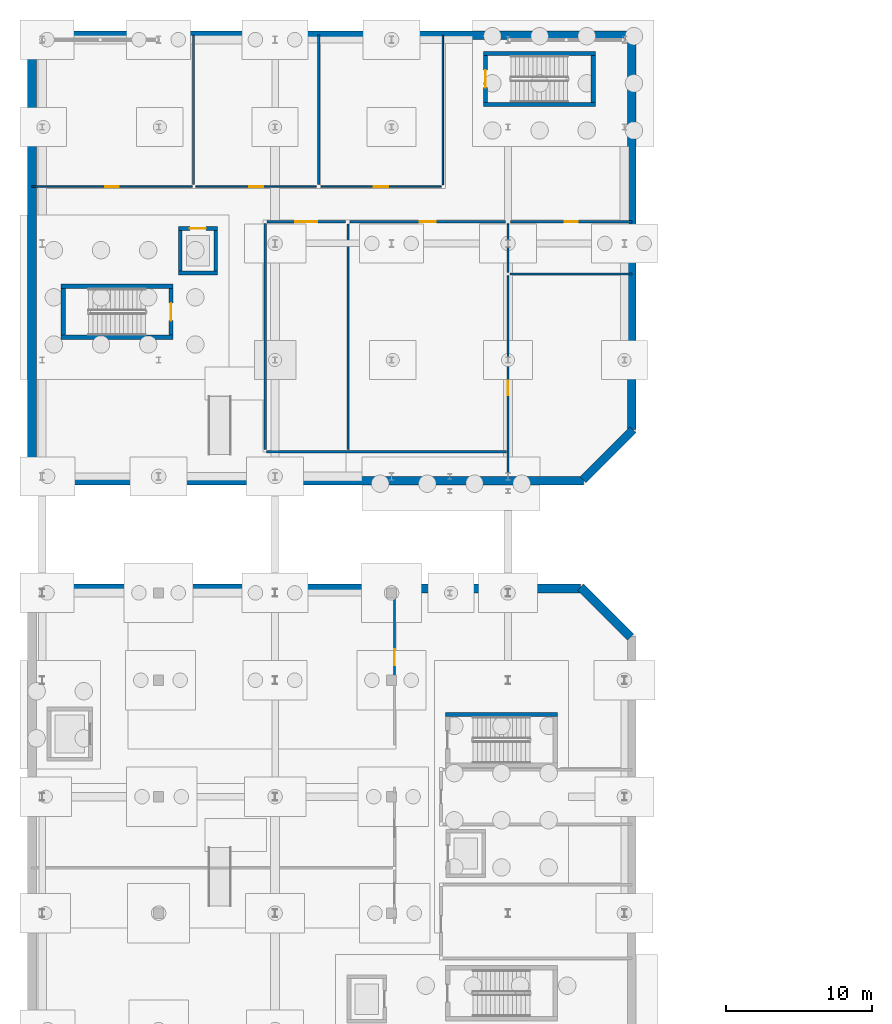
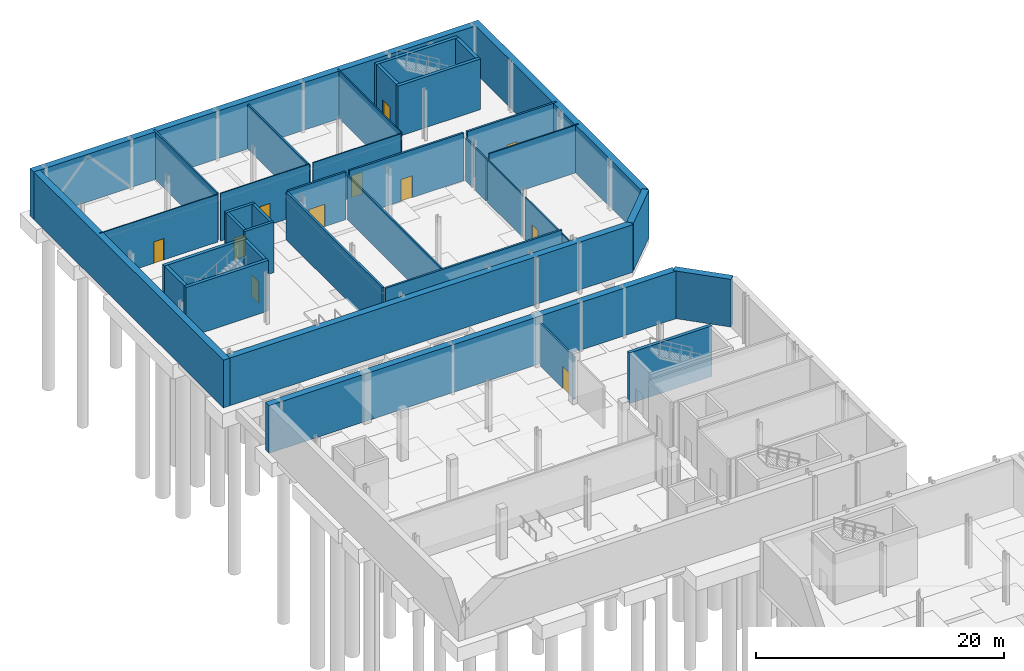
# One storey, part 28 of 47: 38 walls, 11 doors, 11 openings.
"""IFC4 building model written with IfcOpenShell, lengths in metres."""

from ifc_helpers import new_model, si_unit, direction, frame, frame_2d, origin, place, context, subcontext, project, spatial, rectangle, extrude, material, layer, layer_set, type_object, element, fill, save


model = new_model("IFC4")

# Units and contexts
model_context = context("Model", 3, precision=1e-05, world=origin(), true_north=direction((0.0, 1.0)))
body_context = subcontext(model_context, "Body", "Model", "MODEL_VIEW")
ifc_project = project(units=[si_unit("LENGTHUNIT", "METRE"), si_unit("AREAUNIT", "SQUARE_METRE"), si_unit("VOLUMEUNIT", "CUBIC_METRE"), si_unit("PLANEANGLEUNIT", "RADIAN"), si_unit("MASSUNIT", "GRAM", prefix="KILO")], contexts=[model_context])

# Site, building, storey
site_placement = place(None, origin())
site = spatial("IfcSite", under=ifc_project, at=site_placement, CompositionType="ELEMENT")
building_placement = place(site_placement, origin())
building = spatial("IfcBuilding", under=site, at=building_placement, Name="Cymarion Research Institute", CompositionType="ELEMENT")
storey_placement = place(building_placement, frame((0.0, 0.0, -5.0)))
storey = spatial("IfcBuildingStorey", under=building, at=storey_placement, Name="B1", CompositionType="ELEMENT", Elevation=-5.0)

# Walls
ifc_material_1 = material(Name="Concrete C35/45", Category="concrete")
ifc_layer_1 = layer(ifc_material_1, 0.60009765625)
ifc_layer_set_1 = layer_set([ifc_layer_1], Name="Concrete C35/45")
wall_type_1 = type_object("IfcWallType", Name="EXTERIOR WALL EW-RET600 600MM", PredefinedType="SHEAR", material=ifc_layer_set_1)
wall_1_placement = place(storey_placement, frame((47.02490234375, 74.450927734375, 0.0), z_axis=(0.0, 0.0, 1.0), x_axis=(-0.707106781187, 0.707106781187, 0.0)))
element("IfcWall", 1, at=wall_1_placement, inside=storey, type_object=wall_type_1, Name="B1 V4 exterior wall EW-RET600 #30", PredefinedType="SHEAR", context=body_context, shape_type="SweptSolid", body=[
    extrude(rectangle(XDim=4.860595703125, YDim=0.60009765625, at=frame_2d((2.43017578125, 0.0))), origin(), (0.0, 0.0, 1.0), 4.699951171875),
])
wall_2_placement = place(storey_placement, frame((43.569580078125, 77.800048828125, 0.0), z_axis=(0.0, 0.0, 1.0), x_axis=(-1.0, 0.0, 0.0)))
element("IfcWall", 2, at=wall_2_placement, inside=storey, type_object=wall_type_1, Name="B1 V4 exterior wall EW-RET600 #31", PredefinedType="SHEAR", context=body_context, shape_type="SweptSolid", body=[
    extrude(rectangle(XDim=37.969482421875, YDim=0.60009765625, at=frame_2d((18.98486328125, 0.0))), origin(), (0.0, 0.0, 1.0), 4.699951171875),
])
wall_3_placement = place(storey_placement, frame((6.181884765625, 85.199951171875, 0.0), z_axis=(0.0, 0.0, 1.0), x_axis=(1.0, 0.0, 0.0)))
element("IfcWall", 3, at=wall_3_placement, inside=storey, type_object=wall_type_1, Name="B1 V5 exterior wall EW-RET600 #33", PredefinedType="SHEAR", context=body_context, shape_type="SweptSolid", body=[
    extrude(rectangle(XDim=37.6181640625, YDim=0.60009765625, at=frame_2d((18.80908203125, 0.0))), origin(), (0.0, 0.0, 1.0), 4.699951171875),
])
wall_4_placement = place(storey_placement, frame((43.7509765625, 85.275146484375, 0.0), z_axis=(0.0, 0.0, 1.0), x_axis=(0.707106781187, 0.707106781187, 0.0)))
element("IfcWall", 4, at=wall_4_placement, inside=storey, type_object=wall_type_1, Name="B1 V5 exterior wall EW-RET600 #34", PredefinedType="SHEAR", context=body_context, shape_type="SweptSolid", body=[
    extrude(rectangle(XDim=4.860595703125, YDim=0.60009765625, at=frame_2d((2.43017578125, 0.0))), origin(), (0.0, 0.0, 1.0), 4.699951171875),
])
wall_5_placement = place(storey_placement, frame((47.10009765625, 88.73046875, 0.0), z_axis=(0.0, 0.0, 1.0), x_axis=(0.0, 1.0, 0.0)))
element("IfcWall", 5, at=wall_5_placement, inside=storey, type_object=wall_type_1, Name="B1 V5 exterior wall EW-RET600 #35", PredefinedType="SHEAR", context=body_context, shape_type="SweptSolid", body=[
    extrude(rectangle(XDim=27.36962890625, YDim=0.60009765625, at=frame_2d((13.684814453125, 0.0))), origin(), (0.0, 0.0, 1.0), 4.699951171875),
])
wall_6_placement = place(storey_placement, frame((46.818115234375, 115.800048828125, 0.0), z_axis=(0.0, 0.0, 1.0), x_axis=(-1.0, 0.0, 0.0)))
element("IfcWall", 6, at=wall_6_placement, inside=storey, type_object=wall_type_1, Name="B1 V5 exterior wall EW-RET600 #36", PredefinedType="SHEAR", context=body_context, shape_type="SweptSolid", body=[
    extrude(rectangle(XDim=41.218017578125, YDim=0.60009765625, at=frame_2d((20.60888671875, 0.0))), origin(), (0.0, 0.0, 1.0), 4.699951171875),
])
wall_7_placement = place(storey_placement, frame((5.89990234375, 115.51806640625, 0.0), z_axis=(0.0, 0.0, 1.0), x_axis=(0.0, -1.0, 0.0)))
element("IfcWall", 7, at=wall_7_placement, inside=storey, type_object=wall_type_1, Name="B1 V5 exterior wall EW-RET600 #37", PredefinedType="SHEAR", context=body_context, shape_type="SweptSolid", body=[
    extrude(rectangle(XDim=30.6181640625, YDim=0.60009765625, at=frame_2d((15.30908203125, 0.0))), origin(), (0.0, 0.0, 1.0), 4.699951171875),
])
ifc_material_2 = material(Name="Gypsum acoustic double-stud partition", Category="gypsum")
ifc_layer_2 = layer(ifc_material_2, 0.14990234375)
ifc_layer_set_2 = layer_set([ifc_layer_2], Name="Gypsum acoustic double-stud partition")
wall_type_2 = type_object("IfcWallType", Name="INTERIOR PARTITION IW-AC150 150MM", PredefinedType="PARTITIONING", material=ifc_layer_set_2)
wall_8_placement = place(storey_placement, frame((27.60009765625, 87.360107421875, 0.0), z_axis=(0.0, 0.0, 1.0), x_axis=(0.0, 1.0, 0.0)))
element("IfcWall", 8, at=wall_8_placement, inside=storey, type_object=wall_type_2, Name="B1 V5 interior partition IW-AC150 #39", PredefinedType="PARTITIONING", context=body_context, shape_type="SweptSolid", body=[
    extrude(rectangle(XDim=15.47998046875, YDim=0.14990234375, at=frame_2d((7.739990234375, 0.0))), origin(), (0.0, 0.0, 1.0), 4.39990234375),
])
wall_9_placement = place(storey_placement, frame((17.0, 105.56005859375, 0.0), z_axis=(0.0, 0.0, 1.0), x_axis=(0.0, 1.0, 0.0)))
element("IfcWall", 9, at=wall_9_placement, inside=storey, type_object=wall_type_2, Name="B1 V5 interior partition IW-AC150 #48", PredefinedType="PARTITIONING", context=body_context, shape_type="SweptSolid", body=[
    extrude(rectangle(XDim=10.2548828125, YDim=0.14990234375, at=frame_2d((5.12744140625, 0.0))), origin(), (0.0, 0.0, 1.0), 4.699951171875),
])
wall_10_placement = place(storey_placement, frame((25.60009765625, 105.56005859375, 0.0), z_axis=(0.0, 0.0, 1.0), x_axis=(0.0, 1.0, 0.0)))
element("IfcWall", 10, at=wall_10_placement, inside=storey, type_object=wall_type_2, Name="B1 V5 interior partition IW-AC150 #49", PredefinedType="PARTITIONING", context=body_context, shape_type="SweptSolid", body=[
    extrude(rectangle(XDim=10.2548828125, YDim=0.14990234375, at=frame_2d((5.12744140625, 0.0))), origin(), (0.0, 0.0, 1.0), 4.39990234375),
])

# Wall, opening, door
ifc_material_3 = material(Name="ISO cleanroom modular flush panel wall", Category="metal")
ifc_layer_3 = layer(ifc_material_3, 0.159912109375)
ifc_layer_set_3 = layer_set([ifc_layer_3], Name="ISO cleanroom modular flush panel wall")
wall_type_3 = type_object("IfcWallType", Name="INTERIOR PARTITION IW-CL160 160MM", PredefinedType="PARTITIONING", material=ifc_layer_set_3)
wall_11_placement = place(storey_placement, frame((30.800048828125, 71.75, 0.0), z_axis=(0.0, 0.0, 1.0), x_axis=(0.0, 1.0, 0.0)))
wall_11 = element("IfcWall", 11, at=wall_11_placement, inside=storey, type_object=wall_type_3, Name="B1 V4 interior partition IW-CL160 #30", PredefinedType="PARTITIONING", context=body_context, shape_type="SweptSolid", body=[
    extrude(rectangle(XDim=5.5, YDim=0.159912109375, at=frame_2d((2.75, 0.0))), origin(), (0.0, 0.0, 1.0), 4.199951171875),
])
opening_1_placement = place(wall_11_placement, frame((0.7919921875, 0.0, 0.0)))
opening_1 = element("IfcOpeningElement", 12, at=opening_1_placement, cuts=wall_11, Name="Opening D-B1-024", PredefinedType="OPENING", context=body_context, shape_type="SweptSolid", body=[
    extrude(rectangle(XDim=1.10009765625, YDim=2.14990234375, at=frame_2d((0.550048828125, 1.074951171875))), frame((0.0, 0.08984375, 0.0), z_axis=(0.0, -1.0, 0.0), x_axis=(1.0, 0.0, 0.0)), (0.0, 0.0, 1.0), 0.179931640625),
])
ifc_material_4 = material(Name="Flush acoustic timber/steel door assembly", Category="steel")
door_type_1 = type_object("IfcDoorType", Name="LABORATORY WIDE SINGLE DOOR DT-LB110 1100X2150", OperationType="NOTDEFINED", PredefinedType="DOOR", material=ifc_material_4)
door_1_placement = place(opening_1_placement, origin())
door_1 = element("IfcDoor", 13, at=door_1_placement, inside=storey, type_object=door_type_1, Name="B1 Metrology Lab door D-B1-024", OperationType="SINGLE_SWING_LEFT", OverallHeight=2.14990234375, OverallWidth=1.10009765625, PredefinedType="DOOR", context=body_context, shape_type="SweptSolid", body=[
    extrude(rectangle(XDim=1.10009765625, YDim=2.14990234375, at=frame_2d((0.550048828125, 1.074951171875))), frame((0.0, 0.02490234375, 0.0), z_axis=(0.0, -1.0, 0.0), x_axis=(1.0, 0.0, 0.0)), (0.0, 0.0, 1.0), 0.050048828125),
])
fill(opening_1, door_1)

# Wall
ifc_material_5 = material(Name="Framed acoustic glass laboratory screen", Category="glass")
ifc_layer_4 = layer(ifc_material_5, 0.10009765625)
ifc_layer_set_4 = layer_set([ifc_layer_4], Name="Framed acoustic glass laboratory screen")
wall_type_4 = type_object("IfcWallType", Name="INTERIOR PARTITION IW-GL100 100MM", PredefinedType="PARTITIONING", material=ifc_layer_set_4)
wall_12_placement = place(storey_placement, frame((34.1201171875, 105.5400390625, 0.0), z_axis=(0.0, 0.0, 1.0), x_axis=(0.0, 1.0, 0.0)))
element("IfcWall", 14, at=wall_12_placement, inside=storey, type_object=wall_type_4, Name="B1 V5 interior partition IW-GL100 #50", PredefinedType="PARTITIONING", context=body_context, shape_type="SweptSolid", body=[
    extrude(rectangle(XDim=10.27490234375, YDim=0.10009765625, at=frame_2d((5.137451171875, 0.0))), origin(), (0.0, 0.0, 1.0), 4.699951171875),
])

# Wall, opening, door
wall_13_placement = place(storey_placement, frame((5.885009765625, 105.39990234375, 0.0), z_axis=(0.0, 0.0, 1.0), x_axis=(1.0, 0.0, 0.0)))
wall_13 = element("IfcWall", 15, at=wall_13_placement, inside=storey, type_object=wall_type_4, Name="B1 V5 interior partition IW-GL100 #51", PredefinedType="PARTITIONING", context=body_context, shape_type="SweptSolid", body=[
    extrude(rectangle(XDim=11.034912109375, YDim=0.10009765625, at=frame_2d((5.517578125, 0.0))), origin(), (0.0, 0.0, 1.0), 4.699951171875),
])
opening_2_placement = place(wall_13_placement, frame((5.06689453125, 0.0, 0.0)))
opening_2 = element("IfcOpeningElement", 16, at=opening_2_placement, cuts=wall_13, Name="Opening D-B1-031", PredefinedType="OPENING", context=body_context, shape_type="SweptSolid", body=[
    extrude(rectangle(XDim=0.89990234375, YDim=2.10009765625, at=frame_2d((0.449951171875, 1.050048828125))), frame((0.0, 0.06005859375, 0.0), z_axis=(0.0, -1.0, 0.0), x_axis=(1.0, 0.0, 0.0)), (0.0, 0.0, 1.0), 0.1201171875),
])
door_type_2 = type_object("IfcDoorType", Name="RESEARCH WRITE-UP OFFICE DOOR DT-OF090 900X2100", OperationType="NOTDEFINED", PredefinedType="DOOR", material=ifc_material_4)
door_2_placement = place(opening_2_placement, origin())
door_2 = element("IfcDoor", 17, at=door_2_placement, inside=storey, type_object=door_type_2, Name="B1 Faculty Office W door D-B1-031", OperationType="SINGLE_SWING_RIGHT", OverallHeight=2.10009765625, OverallWidth=0.89990234375, PredefinedType="DOOR", context=body_context, shape_type="SweptSolid", body=[
    extrude(rectangle(XDim=0.89990234375, YDim=2.10009765625, at=frame_2d((0.449951171875, 1.050048828125))), frame((0.0, 0.02490234375, 0.0), z_axis=(0.0, -1.0, 0.0), x_axis=(1.0, 0.0, 0.0)), (0.0, 0.0, 1.0), 0.050048828125),
])
fill(opening_2, door_2)

wall_14_placement = place(storey_placement, frame((17.159912109375, 105.39990234375, 0.0), z_axis=(0.0, 0.0, 1.0), x_axis=(1.0, 0.0, 0.0)))
wall_14 = element("IfcWall", 18, at=wall_14_placement, inside=storey, type_object=wall_type_4, Name="B1 V5 interior partition IW-GL100 #52", PredefinedType="PARTITIONING", context=body_context, shape_type="SweptSolid", body=[
    extrude(rectangle(XDim=8.280029296875, YDim=0.10009765625, at=frame_2d((4.14013671875, 0.0))), origin(), (0.0, 0.0, 1.0), 4.699951171875),
])
opening_3_placement = place(wall_14_placement, frame((3.6650390625, 0.0, 0.0)))
opening_3 = element("IfcOpeningElement", 19, at=opening_3_placement, cuts=wall_14, Name="Opening D-B1-032", PredefinedType="OPENING", context=body_context, shape_type="SweptSolid", body=[
    extrude(rectangle(XDim=0.949951171875, YDim=2.10009765625, at=frame_2d((0.47509765625, 1.050048828125))), frame((0.0, 0.06005859375, 0.0), z_axis=(0.0, -1.0, 0.0), x_axis=(1.0, 0.0, 0.0)), (0.0, 0.0, 1.0), 0.1201171875),
])
door_type_3 = type_object("IfcDoorType", Name="FACULTY STUDY DOOR DT-OF095 950X2100", OperationType="NOTDEFINED", PredefinedType="DOOR", material=ifc_material_4)
door_3_placement = place(opening_3_placement, origin())
door_3 = element("IfcDoor", 20, at=door_3_placement, inside=storey, type_object=door_type_3, Name="B1 Postdoc Write-Up door D-B1-032", OperationType="SINGLE_SWING_LEFT", OverallHeight=2.10009765625, OverallWidth=0.949951171875, PredefinedType="DOOR", context=body_context, shape_type="SweptSolid", body=[
    extrude(rectangle(XDim=0.949951171875, YDim=2.10009765625, at=frame_2d((0.47509765625, 1.050048828125))), frame((0.0, 0.02490234375, 0.0), z_axis=(0.0, -1.0, 0.0), x_axis=(1.0, 0.0, 0.0)), (0.0, 0.0, 1.0), 0.050048828125),
])
fill(opening_3, door_3)

wall_15_placement = place(storey_placement, frame((25.760009765625, 105.39990234375, 0.0), z_axis=(0.0, 0.0, 1.0), x_axis=(1.0, 0.0, 0.0)))
wall_15 = element("IfcWall", 21, at=wall_15_placement, inside=storey, type_object=wall_type_4, Name="B1 V5 interior partition IW-GL100 #53", PredefinedType="PARTITIONING", context=body_context, shape_type="SweptSolid", body=[
    extrude(rectangle(XDim=8.239990234375, YDim=0.10009765625, at=frame_2d((4.1201171875, 0.0))), origin(), (0.0, 0.0, 1.0), 4.699951171875),
])
opening_4_placement = place(wall_15_placement, frame((3.6201171875, 0.0, 0.0)))
opening_4 = element("IfcOpeningElement", 22, at=opening_4_placement, cuts=wall_15, Name="Opening D-B1-033", PredefinedType="OPENING", context=body_context, shape_type="SweptSolid", body=[
    extrude(rectangle(XDim=1.0, YDim=2.14990234375, at=frame_2d((0.5, 1.074951171875))), frame((0.0, 0.06005859375, 0.0), z_axis=(0.0, -1.0, 0.0), x_axis=(1.0, 0.0, 0.0)), (0.0, 0.0, 1.0), 0.1201171875),
])
door_type_4 = type_object("IfcDoorType", Name="LABORATORY SINGLE LEAF DOOR DT-LB100 1000X2150", OperationType="NOTDEFINED", PredefinedType="DOOR", material=ifc_material_4)
door_4_placement = place(opening_4_placement, origin())
door_4 = element("IfcDoor", 23, at=door_4_placement, inside=storey, type_object=door_type_4, Name="B1 AI Visualization Lab door D-B1-033", OperationType="SINGLE_SWING_RIGHT", OverallHeight=2.14990234375, OverallWidth=1.0, PredefinedType="DOOR", context=body_context, shape_type="SweptSolid", body=[
    extrude(rectangle(XDim=1.0, YDim=2.14990234375, at=frame_2d((0.5, 1.074951171875))), frame((0.0, 0.02490234375, 0.0), z_axis=(0.0, -1.0, 0.0), x_axis=(1.0, 0.0, 0.0)), (0.0, 0.0, 1.0), 0.050048828125),
])
fill(opening_4, door_4)

# Walls
ifc_material_6 = material(Name="Moisture-resistant laboratory partition", Category="gypsum")
ifc_layer_5 = layer(ifc_material_6, 0.179931640625)
ifc_layer_set_5 = layer_set([ifc_layer_5], Name="Moisture-resistant laboratory partition")
wall_type_5 = type_object("IfcWallType", Name="INTERIOR PARTITION IW-LB180 180MM", PredefinedType="PARTITIONING", material=ifc_layer_set_5)
wall_16_placement = place(storey_placement, frame((21.919921875, 87.340087890625, 0.0), z_axis=(0.0, 0.0, 1.0), x_axis=(0.0, 1.0, 0.0)))
element("IfcWall", 24, at=wall_16_placement, inside=storey, type_object=wall_type_5, Name="B1 V5 interior partition IW-LB180 #37", PredefinedType="PARTITIONING", context=body_context, shape_type="SweptSolid", body=[
    extrude(rectangle(XDim=15.52001953125, YDim=0.179931640625, at=frame_2d((7.760009765625, 0.0))), origin(), (0.0, 0.0, 1.0), 4.699951171875),
])
wall_17_placement = place(storey_placement, frame((22.0, 87.199951171875, 0.0), z_axis=(0.0, 0.0, 1.0), x_axis=(1.0, 0.0, 0.0)))
element("IfcWall", 25, at=wall_17_placement, inside=storey, type_object=wall_type_5, Name="B1 V5 interior partition IW-LB180 #38", PredefinedType="PARTITIONING", context=body_context, shape_type="SweptSolid", body=[
    extrude(rectangle(XDim=16.47998046875, YDim=0.179931640625, at=frame_2d((8.239990234375, 0.0))), origin(), (0.0, 0.0, 1.0), 4.699951171875),
])

# Wall, opening, door
wall_18_placement = place(storey_placement, frame((22.050048828125, 103.0, 0.0), z_axis=(0.0, 0.0, 1.0), x_axis=(1.0, 0.0, 0.0)))
wall_18 = element("IfcWall", 26, at=wall_18_placement, inside=storey, type_object=wall_type_5, Name="B1 V5 interior partition IW-LB180 #45", PredefinedType="PARTITIONING", context=body_context, shape_type="SweptSolid", body=[
    extrude(rectangle(XDim=5.389892578125, YDim=0.179931640625, at=frame_2d((2.69482421875, 0.0))), origin(), (0.0, 0.0, 1.0), 4.699951171875),
])
opening_5_placement = place(wall_18_placement, frame((1.945068359375, 0.0, 0.0)))
opening_5 = element("IfcOpeningElement", 27, at=opening_5_placement, cuts=wall_18, Name="Opening D-B1-028", PredefinedType="OPENING", context=body_context, shape_type="SweptSolid", body=[
    extrude(rectangle(XDim=1.5, YDim=2.199951171875, at=frame_2d((0.75, 1.10009765625))), frame((0.0, 0.099853515625, 0.0), z_axis=(0.0, -1.0, 0.0), x_axis=(1.0, 0.0, 0.0)), (0.0, 0.0, 1.0), 0.199951171875),
])
door_type_5 = type_object("IfcDoorType", Name="LABORATORY EQUIPMENT DOUBLE DOOR DT-LB150 1500X2200", OperationType="DOUBLE_DOOR_SINGLE_SWING", PredefinedType="DOOR", material=ifc_material_4)
door_5_placement = place(opening_5_placement, origin())
door_5 = element("IfcDoor", 28, at=door_5_placement, inside=storey, type_object=door_type_5, Name="B1 Dry Lab 1 door D-B1-028", OperationType="DOUBLE_DOOR_SINGLE_SWING", OverallHeight=2.199951171875, OverallWidth=1.5, PredefinedType="DOOR", context=body_context, shape_type="SweptSolid", body=[
    extrude(rectangle(XDim=1.5, YDim=2.199951171875, at=frame_2d((0.75, 1.10009765625))), frame((0.0, 0.02490234375, 0.0), z_axis=(0.0, -1.0, 0.0), x_axis=(1.0, 0.0, 0.0)), (0.0, 0.0, 1.0), 0.050048828125),
])
fill(opening_5, door_5)

wall_19_placement = place(storey_placement, frame((27.760009765625, 103.0, 0.0), z_axis=(0.0, 0.0, 1.0), x_axis=(1.0, 0.0, 0.0)))
wall_19 = element("IfcWall", 29, at=wall_19_placement, inside=storey, type_object=wall_type_5, Name="B1 V5 interior partition IW-LB180 #46", PredefinedType="PARTITIONING", context=body_context, shape_type="SweptSolid", body=[
    extrude(rectangle(XDim=10.679931640625, YDim=0.179931640625, at=frame_2d((5.33984375, 0.0))), origin(), (0.0, 0.0, 1.0), 4.699951171875),
])
opening_6_placement = place(wall_19_placement, frame((4.7900390625, 0.0, 0.0)))
opening_6 = element("IfcOpeningElement", 30, at=opening_6_placement, cuts=wall_19, Name="Opening D-B1-029", PredefinedType="OPENING", context=body_context, shape_type="SweptSolid", body=[
    extrude(rectangle(XDim=1.10009765625, YDim=2.14990234375, at=frame_2d((0.550048828125, 1.074951171875))), frame((0.0, 0.099853515625, 0.0), z_axis=(0.0, -1.0, 0.0), x_axis=(1.0, 0.0, 0.0)), (0.0, 0.0, 1.0), 0.199951171875),
])
door_6_placement = place(opening_6_placement, origin())
door_6 = element("IfcDoor", 31, at=door_6_placement, inside=storey, type_object=door_type_1, Name="B1 Server Cluster door D-B1-029", OperationType="SINGLE_SWING_RIGHT", OverallHeight=2.14990234375, OverallWidth=1.10009765625, PredefinedType="DOOR", context=body_context, shape_type="SweptSolid", body=[
    extrude(rectangle(XDim=1.10009765625, YDim=2.14990234375, at=frame_2d((0.550048828125, 1.074951171875))), frame((0.0, 0.02490234375, 0.0), z_axis=(0.0, -1.0, 0.0), x_axis=(1.0, 0.0, 0.0)), (0.0, 0.0, 1.0), 0.050048828125),
])
fill(opening_6, door_6)

wall_20_placement = place(storey_placement, frame((38.760009765625, 103.0, 0.0), z_axis=(0.0, 0.0, 1.0), x_axis=(1.0, 0.0, 0.0)))
wall_20 = element("IfcWall", 32, at=wall_20_placement, inside=storey, type_object=wall_type_5, Name="B1 V5 interior partition IW-LB180 #47", PredefinedType="PARTITIONING", context=body_context, shape_type="SweptSolid", body=[
    extrude(rectangle(XDim=8.35498046875, YDim=0.179931640625, at=frame_2d((4.177490234375, 0.0))), origin(), (0.0, 0.0, 1.0), 4.699951171875),
])
opening_7_placement = place(wall_20_placement, frame((3.72802734375, 0.0, 0.0)))
opening_7 = element("IfcOpeningElement", 33, at=opening_7_placement, cuts=wall_20, Name="Opening D-B1-030", PredefinedType="OPENING", context=body_context, shape_type="SweptSolid", body=[
    extrude(rectangle(XDim=0.89990234375, YDim=2.10009765625, at=frame_2d((0.449951171875, 1.050048828125))), frame((0.0, 0.099853515625, 0.0), z_axis=(0.0, -1.0, 0.0), x_axis=(1.0, 0.0, 0.0)), (0.0, 0.0, 1.0), 0.199951171875),
])
door_type_6 = type_object("IfcDoorType", Name="ACCESSIBLE RESTROOM DOOR DT-WC090 900X2100", OperationType="NOTDEFINED", PredefinedType="DOOR", material=ifc_material_4)
door_7_placement = place(opening_7_placement, origin())
door_7 = element("IfcDoor", 34, at=door_7_placement, inside=storey, type_object=door_type_6, Name="B1 Restroom door D-B1-030", OperationType="SINGLE_SWING_LEFT", OverallHeight=2.10009765625, OverallWidth=0.89990234375, PredefinedType="DOOR", context=body_context, shape_type="SweptSolid", body=[
    extrude(rectangle(XDim=0.89990234375, YDim=2.10009765625, at=frame_2d((0.449951171875, 1.050048828125))), frame((0.0, 0.02490234375, 0.0), z_axis=(0.0, -1.0, 0.0), x_axis=(1.0, 0.0, 0.0)), (0.0, 0.0, 1.0), 0.050048828125),
])
fill(opening_7, door_7)

# Wall
ifc_material_7 = material(Name="Service riser shaft wall", Category="gypsum")
ifc_layer_6 = layer(ifc_material_7, 0.1201171875)
ifc_layer_set_6 = layer_set([ifc_layer_6], Name="Service riser shaft wall")
wall_type_6 = type_object("IfcWallType", Name="INTERIOR PARTITION IW-SH120 120MM", PredefinedType="PARTITIONING", material=ifc_layer_set_6)
wall_21_placement = place(storey_placement, frame((38.739990234375, 99.39990234375, 0.0), z_axis=(0.0, 0.0, 1.0), x_axis=(1.0, 0.0, 0.0)))
element("IfcWall", 35, at=wall_21_placement, inside=storey, type_object=wall_type_6, Name="B1 V5 interior partition IW-SH120 #40", PredefinedType="PARTITIONING", context=body_context, shape_type="SweptSolid", body=[
    extrude(rectangle(XDim=8.375, YDim=0.1201171875, at=frame_2d((4.1875, 0.0))), origin(), (0.0, 0.0, 1.0), 4.699951171875),
])

# Wall, opening, door
wall_22_placement = place(storey_placement, frame((38.60009765625, 85.75, 0.0), z_axis=(0.0, 0.0, 1.0), x_axis=(0.0, 1.0, 0.0)))
wall_22 = element("IfcWall", 36, at=wall_22_placement, inside=storey, type_object=wall_type_6, Name="B1 V5 interior partition IW-SH120 #41", PredefinedType="PARTITIONING", context=body_context, shape_type="SweptSolid", body=[
    extrude(rectangle(XDim=7.5, YDim=0.1201171875, at=frame_2d((3.75, 0.0))), origin(), (0.0, 0.0, 1.0), 4.199951171875),
])
opening_8_placement = place(wall_22_placement, frame((5.330078125, 0.0, 0.0)))
opening_8 = element("IfcOpeningElement", 37, at=opening_8_placement, cuts=wall_22, Name="Opening D-B1-027", PredefinedType="OPENING", context=body_context, shape_type="SweptSolid", body=[
    extrude(rectangle(XDim=1.0, YDim=2.14990234375, at=frame_2d((0.5, 1.074951171875))), frame((0.0, 0.070068359375, 0.0), z_axis=(0.0, -1.0, 0.0), x_axis=(1.0, 0.0, 0.0)), (0.0, 0.0, 1.0), 0.14013671875),
])
door_8_placement = place(opening_8_placement, origin())
door_8 = element("IfcDoor", 38, at=door_8_placement, inside=storey, type_object=door_type_4, Name="B1 Tape Archive door D-B1-027", OperationType="SINGLE_SWING_RIGHT", OverallHeight=2.14990234375, OverallWidth=1.0, PredefinedType="DOOR", context=body_context, shape_type="SweptSolid", body=[
    extrude(rectangle(XDim=1.0, YDim=2.14990234375, at=frame_2d((0.5, 1.074951171875))), frame((0.0, 0.02490234375, 0.0), z_axis=(0.0, -1.0, 0.0), x_axis=(1.0, 0.0, 0.0)), (0.0, 0.0, 1.0), 0.050048828125),
])
fill(opening_8, door_8)

# Walls
wall_23_placement = place(storey_placement, frame((38.60009765625, 93.75, 0.0), z_axis=(0.0, 0.0, 1.0), x_axis=(0.0, 1.0, 0.0)))
element("IfcWall", 39, at=wall_23_placement, inside=storey, type_object=wall_type_6, Name="B1 V5 interior partition IW-SH120 #42", PredefinedType="PARTITIONING", context=body_context, shape_type="SweptSolid", body=[
    extrude(rectangle(XDim=5.530029296875, YDim=0.1201171875, at=frame_2d((2.76513671875, 0.0))), origin(), (0.0, 0.0, 1.0), 4.199951171875),
])
wall_24_placement = place(storey_placement, frame((38.60009765625, 99.52001953125, 0.0), z_axis=(0.0, 0.0, 1.0), x_axis=(0.0, 1.0, 0.0)))
element("IfcWall", 40, at=wall_24_placement, inside=storey, type_object=wall_type_6, Name="B1 V5 interior partition IW-SH120 #43", PredefinedType="PARTITIONING", context=body_context, shape_type="SweptSolid", body=[
    extrude(rectangle(XDim=1.72998046875, YDim=0.1201171875, at=frame_2d((0.864990234375, 0.0))), origin(), (0.0, 0.0, 1.0), 4.199951171875),
])
wall_25_placement = place(storey_placement, frame((38.60009765625, 101.75, 0.0), z_axis=(0.0, 0.0, 1.0), x_axis=(0.0, 1.0, 0.0)))
element("IfcWall", 41, at=wall_25_placement, inside=storey, type_object=wall_type_6, Name="B1 V5 interior partition IW-SH120 #44", PredefinedType="PARTITIONING", context=body_context, shape_type="SweptSolid", body=[
    extrude(rectangle(XDim=1.090087890625, YDim=0.1201171875, at=frame_2d((0.544921875, 0.0))), origin(), (0.0, 0.0, 1.0), 4.199951171875),
])
ifc_material_8 = material(Name="Concrete C40/50", Category="concrete")
ifc_layer_7 = layer(ifc_material_8, 0.25)
ifc_layer_set_7 = layer_set([ifc_layer_7], Name="Concrete C40/50")
wall_type_7 = type_object("IfcWallType", Name="REINFORCED CONCRETE CORE WALL CW-SH250 250MM", PredefinedType="SHEAR", material=ifc_layer_set_7)
wall_26_placement = place(storey_placement, frame((15.949951171875, 99.47509765625, 0.0), z_axis=(0.0, 0.0, 1.0), x_axis=(1.0, 0.0, 0.0)))
element("IfcWall", 42, at=wall_26_placement, inside=storey, type_object=wall_type_7, Name="B1 LSH-LP5-B1 south core wall", PredefinedType="SHEAR", context=body_context, shape_type="SweptSolid", body=[
    extrude(rectangle(XDim=2.699951171875, YDim=0.25, at=frame_2d((1.35009765625, 0.0))), origin(), (0.0, 0.0, 1.0), 5.0),
])

# Wall, opening, door
wall_27_placement = place(storey_placement, frame((18.64990234375, 102.52490234375, 0.0), z_axis=(0.0, 0.0, 1.0), x_axis=(-1.0, 0.0, 0.0)))
wall_27 = element("IfcWall", 43, at=wall_27_placement, inside=storey, type_object=wall_type_7, Name="B1 LSH-LP5-B1 north core wall", PredefinedType="SHEAR", context=body_context, shape_type="SweptSolid", body=[
    extrude(rectangle(XDim=2.699951171875, YDim=0.25, at=frame_2d((1.35009765625, 0.0))), origin(), (0.0, 0.0, 1.0), 5.0),
])
opening_9_placement = place(wall_27_placement, frame((0.800048828125, 0.0, 0.0)))
opening_9 = element("IfcOpeningElement", 44, at=opening_9_placement, cuts=wall_27, Name="Opening LD-LP5-B1", PredefinedType="OPENING", context=body_context, shape_type="SweptSolid", body=[
    extrude(rectangle(XDim=1.10009765625, YDim=2.14990234375, at=frame_2d((0.550048828125, 1.074951171875))), frame((0.0, 0.135009765625, 0.0), z_axis=(0.0, -1.0, 0.0), x_axis=(1.0, 0.0, 0.0)), (0.0, 0.0, 1.0), 0.27001953125),
])
ifc_material_9 = material(Name="Fire-rated insulated steel door assembly", Category="steel")
door_type_7 = type_object("IfcDoorType", Name="SLIDING LIFT LANDING DOOR DT-LD110 1100X2150", OperationType="DOUBLE_DOOR_SLIDING", PredefinedType="DOOR", material=ifc_material_9)
door_9_placement = place(opening_9_placement, origin())
door_9 = element("IfcDoor", 45, at=door_9_placement, inside=storey, type_object=door_type_7, Name="Lift LP5 landing door B1", OperationType="DOUBLE_DOOR_SLIDING", OverallHeight=2.14990234375, OverallWidth=1.10009765625, PredefinedType="DOOR", context=body_context, shape_type="SweptSolid", body=[
    extrude(rectangle(XDim=1.10009765625, YDim=2.14990234375, at=frame_2d((0.550048828125, 1.074951171875))), frame((0.0, 0.02490234375, 0.0), z_axis=(0.0, -1.0, 0.0), x_axis=(1.0, 0.0, 0.0)), (0.0, 0.0, 1.0), 0.050048828125),
])
fill(opening_9, door_9)

# Walls
for number, where, z_axis, x_axis, name in (
    (46, (16.074951171875, 102.39990234375, 0.0), (0.0, 0.0, 1.0), (0.0, -1.0, 0.0), "B1 LSH-LP5-B1 west core wall"),
    (47, (18.52490234375, 99.60009765625, 0.0), (0.0, 0.0, 1.0), (0.0, 1.0, 0.0), "B1 LSH-LP5-B1 east core wall"),
):
    element("IfcWall", number, at=place(storey_placement, frame(where, z_axis=z_axis, x_axis=x_axis)), inside=storey, type_object=wall_type_7, Name=name, PredefinedType="SHEAR", context=body_context, shape_type="SweptSolid", body=[
        extrude(rectangle(XDim=2.7998046875, YDim=0.25, at=frame_2d((1.39990234375, 0.0))), origin(), (0.0, 0.0, 1.0), 5.0),
    ])
ifc_layer_8 = layer(ifc_material_8, 0.300048828125)
ifc_layer_set_8 = layer_set([ifc_layer_8], Name="Concrete C40/50")
wall_type_8 = type_object("IfcWallType", Name="REINFORCED CONCRETE CORE WALL CW-SH300 300MM", PredefinedType="SHEAR", material=ifc_layer_set_8)
wall_28_placement = place(storey_placement, frame((42.0, 69.14990234375, 0.0), z_axis=(0.0, 0.0, 1.0), x_axis=(-1.0, 0.0, 0.0)))
element("IfcWall", 48, at=wall_28_placement, inside=storey, type_object=wall_type_8, Name="B1 SHW-C8-B1 north core wall", PredefinedType="SHEAR", context=body_context, shape_type="SweptSolid", body=[
    extrude(rectangle(XDim=7.699951171875, YDim=0.300048828125, at=frame_2d((3.85009765625, 0.0))), origin(), (0.0, 0.0, 1.0), 5.0),
])
for number, where, z_axis, x_axis, name in (
    (49, (7.89990234375, 95.050048828125, 0.0), (0.0, 0.0, 1.0), (1.0, 0.0, 0.0), "B1 SHW-C9-B1 south core wall"),
    (50, (15.60009765625, 98.550048828125, 0.0), (0.0, 0.0, 1.0), (-1.0, 0.0, 0.0), "B1 SHW-C9-B1 north core wall"),
):
    element("IfcWall", number, at=place(storey_placement, frame(where, z_axis=z_axis, x_axis=x_axis)), inside=storey, type_object=wall_type_8, Name=name, PredefinedType="SHEAR", context=body_context, shape_type="SweptSolid", body=[
        extrude(rectangle(XDim=7.7001953125, YDim=0.300048828125, at=frame_2d((3.85009765625, 0.0))), origin(), (0.0, 0.0, 1.0), 5.0),
    ])
wall_29_placement = place(storey_placement, frame((8.050048828125, 98.39990234375, 0.0), z_axis=(0.0, 0.0, 1.0), x_axis=(0.0, -1.0, 0.0)))
element("IfcWall", 51, at=wall_29_placement, inside=storey, type_object=wall_type_8, Name="B1 SHW-C9-B1 west core wall", PredefinedType="SHEAR", context=body_context, shape_type="SweptSolid", body=[
    extrude(rectangle(XDim=3.199951171875, YDim=0.300048828125, at=frame_2d((1.60009765625, 0.0))), origin(), (0.0, 0.0, 1.0), 5.0),
])

# Wall, opening, door
wall_30_placement = place(storey_placement, frame((15.449951171875, 95.199951171875, 0.0), z_axis=(0.0, 0.0, 1.0), x_axis=(0.0, 1.0, 0.0)))
wall_30 = element("IfcWall", 52, at=wall_30_placement, inside=storey, type_object=wall_type_8, Name="B1 SHW-C9-B1 east core wall", PredefinedType="SHEAR", context=body_context, shape_type="SweptSolid", body=[
    extrude(rectangle(XDim=3.199951171875, YDim=0.300048828125, at=frame_2d((1.60009765625, 0.0))), origin(), (0.0, 0.0, 1.0), 5.0),
])
opening_10_placement = place(wall_30_placement, frame((1.0, 0.0, 0.0)))
opening_10 = element("IfcOpeningElement", 53, at=opening_10_placement, cuts=wall_30, Name="Opening FD-B1-ST9", PredefinedType="OPENING", context=body_context, shape_type="SweptSolid", body=[
    extrude(rectangle(XDim=1.199951171875, YDim=2.14990234375, at=frame_2d((0.60009765625, 1.074951171875))), frame((0.0, 0.159912109375, 0.0), z_axis=(0.0, -1.0, 0.0), x_axis=(1.0, 0.0, 0.0)), (0.0, 0.0, 1.0), 0.320068359375),
])
door_type_8 = type_object("IfcDoorType", Name="SMOKE PROOF STAIR FIRE DOOR DT-ST120 1200X2150", OperationType="NOTDEFINED", PredefinedType="DOOR", material=ifc_material_9)
door_10_placement = place(opening_10_placement, origin())
door_10 = element("IfcDoor", 54, at=door_10_placement, inside=storey, type_object=door_type_8, Name="B1 ST9 smoke-proof stair door FD-B1-ST9", OperationType="SINGLE_SWING_LEFT", OverallHeight=2.14990234375, OverallWidth=1.199951171875, PredefinedType="DOOR", context=body_context, shape_type="SweptSolid", body=[
    extrude(rectangle(XDim=1.199951171875, YDim=2.14990234375, at=frame_2d((0.60009765625, 1.074951171875))), frame((0.0, 0.02490234375, 0.0), z_axis=(0.0, -1.0, 0.0), x_axis=(1.0, 0.0, 0.0)), (0.0, 0.0, 1.0), 0.050048828125),
])
fill(opening_10, door_10)

# Walls
for number, where, z_axis, x_axis, name in (
    (55, (36.89990234375, 111.050048828125, 0.0), (0.0, 0.0, 1.0), (1.0, 0.0, 0.0), "B1 SHW-C10-B1 south core wall"),
    (56, (44.60009765625, 114.550048828125, 0.0), (0.0, 0.0, 1.0), (-1.0, 0.0, 0.0), "B1 SHW-C10-B1 north core wall"),
):
    element("IfcWall", number, at=place(storey_placement, frame(where, z_axis=z_axis, x_axis=x_axis)), inside=storey, type_object=wall_type_8, Name=name, PredefinedType="SHEAR", context=body_context, shape_type="SweptSolid", body=[
        extrude(rectangle(XDim=7.7001953125, YDim=0.300048828125, at=frame_2d((3.85009765625, 0.0))), origin(), (0.0, 0.0, 1.0), 5.0),
    ])

# Wall, opening, door
wall_31_placement = place(storey_placement, frame((37.050048828125, 114.39990234375, 0.0), z_axis=(0.0, 0.0, 1.0), x_axis=(0.0, -1.0, 0.0)))
wall_31 = element("IfcWall", 57, at=wall_31_placement, inside=storey, type_object=wall_type_8, Name="B1 SHW-C10-B1 west core wall", PredefinedType="SHEAR", context=body_context, shape_type="SweptSolid", body=[
    extrude(rectangle(XDim=3.199951171875, YDim=0.300048828125, at=frame_2d((1.60009765625, 0.0))), origin(), (0.0, 0.0, 1.0), 5.0),
])
opening_11_placement = place(wall_31_placement, frame((1.0, 0.0, 0.0)))
opening_11 = element("IfcOpeningElement", 58, at=opening_11_placement, cuts=wall_31, Name="Opening FD-B1-ST10", PredefinedType="OPENING", context=body_context, shape_type="SweptSolid", body=[
    extrude(rectangle(XDim=1.199951171875, YDim=2.14990234375, at=frame_2d((0.60009765625, 1.074951171875))), frame((0.0, 0.159912109375, 0.0), z_axis=(0.0, -1.0, 0.0), x_axis=(1.0, 0.0, 0.0)), (0.0, 0.0, 1.0), 0.320068359375),
])
door_11_placement = place(opening_11_placement, origin())
door_11 = element("IfcDoor", 59, at=door_11_placement, inside=storey, type_object=door_type_8, Name="B1 ST10 smoke-proof stair door FD-B1-ST10", OperationType="SINGLE_SWING_RIGHT", OverallHeight=2.14990234375, OverallWidth=1.199951171875, PredefinedType="DOOR", context=body_context, shape_type="SweptSolid", body=[
    extrude(rectangle(XDim=1.199951171875, YDim=2.14990234375, at=frame_2d((0.60009765625, 1.074951171875))), frame((0.0, 0.02490234375, 0.0), z_axis=(0.0, -1.0, 0.0), x_axis=(1.0, 0.0, 0.0)), (0.0, 0.0, 1.0), 0.050048828125),
])
fill(opening_11, door_11)

# Wall
wall_32_placement = place(storey_placement, frame((44.449951171875, 111.199951171875, 0.0), z_axis=(0.0, 0.0, 1.0), x_axis=(0.0, 1.0, 0.0)))
element("IfcWall", 60, at=wall_32_placement, inside=storey, type_object=wall_type_8, Name="B1 SHW-C10-B1 east core wall", PredefinedType="SHEAR", context=body_context, shape_type="SweptSolid", body=[
    extrude(rectangle(XDim=3.199951171875, YDim=0.300048828125, at=frame_2d((1.60009765625, 0.0))), origin(), (0.0, 0.0, 1.0), 5.0),
])

save(model, "model.ifc")
